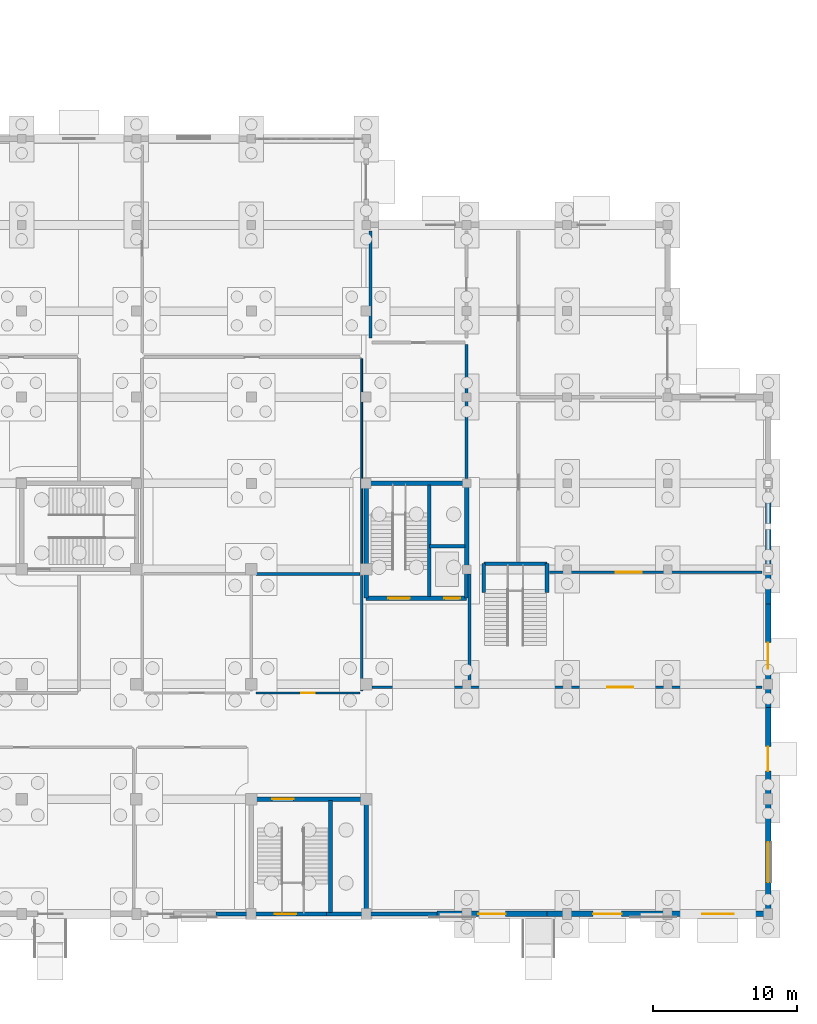
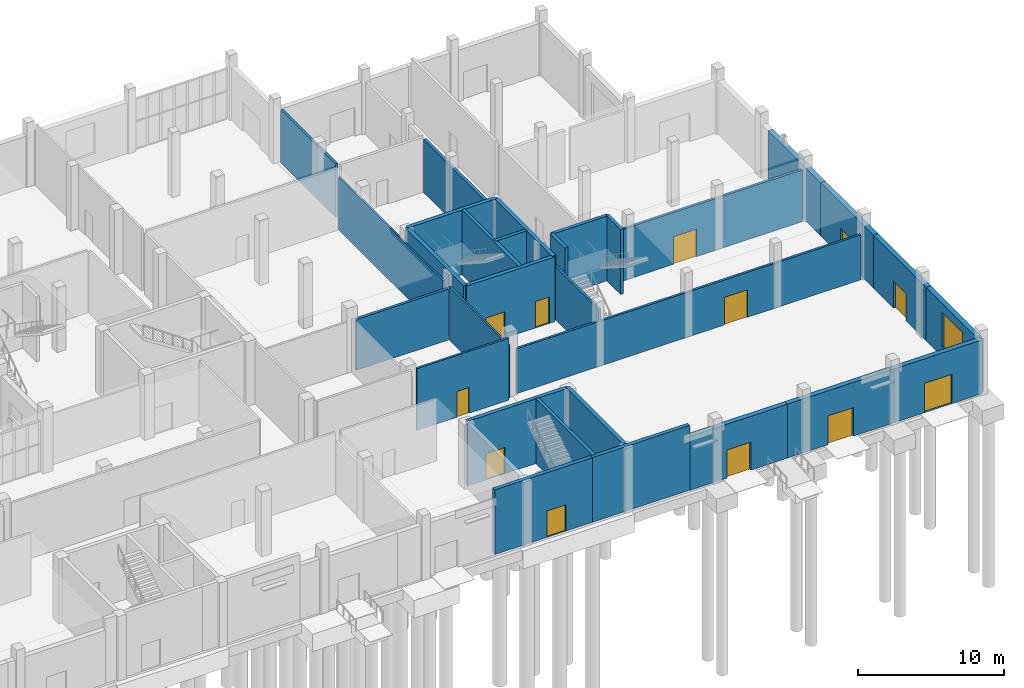
# One storey, part 50 of 69: 30 walls, 12 doors, 1 window, 13 openings.
"""IFC4 building model written with IfcOpenShell, lengths in metres."""

from ifc_helpers import new_model, si_unit, direction, frame, frame_2d, origin, place, context, subcontext, project, spatial, rectangle, extrude, material, layer, layer_set, type_object, element, fill, save


model = new_model("IFC4")

# Units and contexts
model_context = context("Model", 3, precision=1e-05, world=origin(), true_north=direction((0.0, 1.0)))
body_context = subcontext(model_context, "Body", "Model", "MODEL_VIEW")
ifc_project = project(units=[si_unit("LENGTHUNIT", "METRE"), si_unit("AREAUNIT", "SQUARE_METRE"), si_unit("VOLUMEUNIT", "CUBIC_METRE"), si_unit("PLANEANGLEUNIT", "RADIAN"), si_unit("MASSUNIT", "GRAM", prefix="KILO")], contexts=[model_context])

# Site, building, storey
site_placement = place(None, origin())
site = spatial("IfcSite", under=ifc_project, at=site_placement, CompositionType="ELEMENT")
building_placement = place(site_placement, origin())
building = spatial("IfcBuilding", under=site, at=building_placement, Name="Solvane Community Centre", CompositionType="ELEMENT")
storey_placement = place(building_placement, origin())
storey = spatial("IfcBuildingStorey", under=building, at=storey_placement, Name="L00", CompositionType="ELEMENT", Elevation=0.0)

# Wall
ifc_material_1 = material(Name="Gypsum board partition")
ifc_layer_1 = layer(ifc_material_1, 0.1298828125)
ifc_layer_set_1 = layer_set([ifc_layer_1], Name="Gypsum board partition")
wall_type_1 = type_object("IfcWallType", Name="Acoustic Partition 130mm [143x44dm]", PredefinedType="PARTITIONING", material=ifc_layer_set_1)
wall_1_placement = place(storey_placement, frame((139.699951171875, 30.419921875, 0.0), z_axis=(0.0, 0.0, 1.0), x_axis=(0.0, 1.0, 0.0)))
element("IfcWall", 1, at=wall_1_placement, inside=storey, type_object=wall_type_1, Name="Interior Wall WL-INT-L00-0206", PredefinedType="PARTITIONING", context=body_context, shape_type="SweptSolid", body=[
    extrude(rectangle(XDim=14.260009765625, YDim=0.1298828125, at=frame_2d((7.1298828125, 0.0))), origin(), (0.0, 0.0, 1.0), 4.425048828125),
])

# Wall, opening, door
ifc_layer_2 = layer(ifc_material_1, 0.18994140625)
ifc_layer_set_2 = layer_set([ifc_layer_2], Name="Gypsum board partition")
wall_type_2 = type_object("IfcWallType", Name="Acoustic Partition 190mm [148x43dm]", PredefinedType="PARTITIONING", material=ifc_layer_set_2)
wall_2_placement = place(storey_placement, frame((167.580078125, 29.800048828125, 0.0), z_axis=(0.0, 0.0, 1.0), x_axis=(-1.0, 0.0, 0.0)))
wall_2 = element("IfcWall", 2, at=wall_2_placement, inside=storey, type_object=wall_type_2, Name="Interior Wall WL-INT-L00-0209", PredefinedType="PARTITIONING", context=body_context, shape_type="SweptSolid", body=[
    extrude(rectangle(XDim=14.820068359375, YDim=0.18994140625, at=frame_2d((7.41015625, 0.0))), origin(), (0.0, 0.0, 1.0), 4.31494140625),
])
opening_1_placement = place(wall_2_placement, frame((8.373046875, 0.0, 0.0)))
opening_1 = element("IfcOpeningElement", 3, at=opening_1_placement, cuts=wall_2, Name="Opening ID02", PredefinedType="OPENING", context=body_context, shape_type="SweptSolid", body=[
    extrude(rectangle(XDim=1.800048828125, YDim=2.300048828125, at=frame_2d((0.89990234375, 1.14990234375))), frame((0.0, 0.10498046875, 0.0), z_axis=(0.0, -1.0, 0.0), x_axis=(1.0, 0.0, 0.0)), (0.0, 0.0, 1.0), 0.2099609375),
])
ifc_material_2 = material(Name="Anodised bronze aluminium AW-6063 T6", Category="aluminium")
door_type_1 = type_object("IfcDoorType", Name="Hall Acoustic Double Door 1800x2300", OperationType="NOTDEFINED", PredefinedType="DOOR", material=ifc_material_2)
door_1_placement = place(opening_1_placement, origin())
door_1 = element("IfcDoor", 4, at=door_1_placement, inside=storey, type_object=door_type_1, Name="L00-D072", OperationType="DOUBLE_DOOR_SINGLE_SWING", OverallHeight=2.300048828125, OverallWidth=1.800048828125, PredefinedType="DOOR", context=body_context, shape_type="SweptSolid", body=[
    extrude(rectangle(XDim=1.800048828125, YDim=2.300048828125, at=frame_2d((0.89990234375, 1.14990234375))), frame((0.0, 0.02490234375, 0.0), z_axis=(0.0, -1.0, 0.0), x_axis=(1.0, 0.0, 0.0)), (0.0, 0.0, 1.0), 0.050048828125),
])
fill(opening_1, door_1)

# Walls
ifc_layer_3 = layer(ifc_material_1, 0.2099609375)
ifc_layer_set_3 = layer_set([ifc_layer_3], Name="Gypsum board partition")
wall_type_3 = type_object("IfcWallType", Name="Acoustic Partition 210mm [73x42dm]", PredefinedType="PARTITIONING", material=ifc_layer_set_3)
wall_3_placement = place(storey_placement, frame((139.580078125, 29.699951171875, 0.0), z_axis=(0.0, 0.0, 1.0), x_axis=(-1.0, 0.0, 0.0)))
element("IfcWall", 5, at=wall_3_placement, inside=storey, type_object=wall_type_3, Name="Interior Wall WL-INT-L00-0200", PredefinedType="PARTITIONING", context=body_context, shape_type="SweptSolid", body=[
    extrude(rectangle(XDim=7.260009765625, YDim=0.2099609375, at=frame_2d((3.6298828125, 0.0))), origin(), (0.0, 0.0, 1.0), 4.2451171875),
])
ifc_layer_4 = layer(ifc_material_1, 0.2099609375)
ifc_layer_set_4 = layer_set([ifc_layer_4], Name="Gypsum board partition")
wall_type_4 = type_object("IfcWallType", Name="Acoustic Partition 210mm [75x44dm]", PredefinedType="PARTITIONING", material=ifc_layer_set_4)
wall_4_placement = place(storey_placement, frame((140.300048828125, 53.580078125, 0.0), z_axis=(0.0, 0.0, 1.0), x_axis=(0.0, -1.0, 0.0)))
element("IfcWall", 6, at=wall_4_placement, inside=storey, type_object=wall_type_4, Name="Interior Wall WL-INT-L00-0215", PredefinedType="PARTITIONING", context=body_context, shape_type="SweptSolid", body=[
    extrude(rectangle(XDim=7.4599609375, YDim=0.2099609375, at=frame_2d((3.72998046875, 0.0))), origin(), (0.0, 0.0, 1.0), 4.425048828125),
])

# Wall, opening, door
ifc_material_3 = material(Name="Terracotta clay masonry", Category="masonry")
ifc_layer_5 = layer(ifc_material_3, 0.3798828125)
ifc_layer_set_5 = layer_set([ifc_layer_5], Name="Terracotta clay masonry")
wall_type_5 = type_object("IfcWallType", Name="Art Deco Terracotta Plinth Wall 380mm [70x45dm]", PredefinedType="SOLIDWALL", material=ifc_layer_set_5)
wall_5_placement = place(storey_placement, frame((168.0, 6.0, 0.0), z_axis=(0.0, 0.0, 1.0), x_axis=(-1.0, 0.0, 0.0)))
wall_5 = element("IfcWall", 7, at=wall_5_placement, inside=storey, type_object=wall_type_5, Name="Exterior Wall WL-EXT-L00-0001", PredefinedType="SOLIDWALL", context=body_context, shape_type="SweptSolid", body=[
    extrude(rectangle(XDim=7.0, YDim=0.3798828125, at=frame_2d((3.5, 0.0))), origin(), (0.0, 0.0, 1.0), 4.4951171875),
])
opening_2_placement = place(wall_5_placement, frame((2.39990234375, 0.0, 0.0)))
opening_2 = element("IfcOpeningElement", 8, at=opening_2_placement, cuts=wall_5, Name="Opening D05", PredefinedType="OPENING", context=body_context, shape_type="SweptSolid", body=[
    extrude(rectangle(XDim=2.199951171875, YDim=2.449951171875, at=frame_2d((1.10009765625, 1.22509765625))), frame((0.0, 0.199951171875, 0.0), z_axis=(0.0, -1.0, 0.0), x_axis=(1.0, 0.0, 0.0)), (0.0, 0.0, 1.0), 0.39990234375),
])
door_type_2 = type_object("IfcDoorType", Name="Boulevard Cafe Entrance Pair 2200x2450", OperationType="NOTDEFINED", PredefinedType="DOOR", material=ifc_material_2)
door_2_placement = place(opening_2_placement, origin())
door_2 = element("IfcDoor", 9, at=door_2_placement, inside=storey, type_object=door_type_2, Name="L00-ED01", OperationType="DOUBLE_DOOR_SINGLE_SWING", OverallHeight=2.449951171875, OverallWidth=2.199951171875, PredefinedType="DOOR", context=body_context, shape_type="SweptSolid", body=[
    extrude(rectangle(XDim=2.199951171875, YDim=2.449951171875, at=frame_2d((1.10009765625, 1.22509765625))), frame((0.0, 0.02490234375, 0.0), z_axis=(0.0, -1.0, 0.0), x_axis=(1.0, 0.0, 0.0)), (0.0, 0.0, 1.0), 0.050048828125),
])
fill(opening_2, door_2)

# Wall
ifc_layer_6 = layer(ifc_material_3, 0.3798828125)
ifc_layer_set_6 = layer_set([ifc_layer_6], Name="Terracotta clay masonry")
wall_type_6 = type_object("IfcWallType", Name="Art Deco Terracotta Plinth Wall 380mm [72x44dm]", PredefinedType="SOLIDWALL", material=ifc_layer_set_6)
wall_6_placement = place(storey_placement, frame((168.0, 34.800048828125, 0.0), z_axis=(0.0, 0.0, 1.0), x_axis=(0.0, -1.0, 0.0)))
element("IfcWall", 10, at=wall_6_placement, inside=storey, type_object=wall_type_6, Name="Exterior Wall WL-EXT-L00-0053", PredefinedType="SOLIDWALL", context=body_context, shape_type="SweptSolid", body=[
    extrude(rectangle(XDim=7.199951171875, YDim=0.3798828125, at=frame_2d((3.60009765625, 0.0))), origin(), (0.0, 0.0, 1.0), 4.425048828125),
])

# Wall, opening, door
wall_7_placement = place(storey_placement, frame((168.0, 27.60009765625, 0.0), z_axis=(0.0, 0.0, 1.0), x_axis=(0.0, -1.0, 0.0)))
wall_7 = element("IfcWall", 11, at=wall_7_placement, inside=storey, type_object=wall_type_6, Name="Exterior Wall WL-EXT-L00-0054", PredefinedType="SOLIDWALL", context=body_context, shape_type="SweptSolid", body=[
    extrude(rectangle(XDim=7.2001953125, YDim=0.3798828125, at=frame_2d((3.60009765625, 0.0))), origin(), (0.0, 0.0, 1.0), 4.445068359375),
])
opening_3_placement = place(wall_7_placement, frame((2.699951171875, 0.0, 0.0)))
opening_3 = element("IfcOpeningElement", 12, at=opening_3_placement, cuts=wall_7, Name="Opening D02", PredefinedType="OPENING", context=body_context, shape_type="SweptSolid", body=[
    extrude(rectangle(XDim=1.800048828125, YDim=2.300048828125, at=frame_2d((0.89990234375, 1.14990234375))), frame((0.0, 0.199951171875, 0.0), z_axis=(0.0, -1.0, 0.0), x_axis=(1.0, 0.0, 0.0)), (0.0, 0.0, 1.0), 0.39990234375),
])
door_type_3 = type_object("IfcDoorType", Name="Primary Civic Exit Pair 1800x2300", OperationType="NOTDEFINED", PredefinedType="DOOR", material=ifc_material_2)
door_3_placement = place(opening_3_placement, origin())
door_3 = element("IfcDoor", 13, at=door_3_placement, inside=storey, type_object=door_type_3, Name="L00-ED22", OperationType="DOUBLE_DOOR_SINGLE_SWING", OverallHeight=2.300048828125, OverallWidth=1.800048828125, PredefinedType="DOOR", context=body_context, shape_type="SweptSolid", body=[
    extrude(rectangle(XDim=1.800048828125, YDim=2.300048828125, at=frame_2d((0.89990234375, 1.14990234375))), frame((0.0, 0.02490234375, 0.0), z_axis=(0.0, -1.0, 0.0), x_axis=(1.0, 0.0, 0.0)), (0.0, 0.0, 1.0), 0.050048828125),
])
fill(opening_3, door_3)

wall_8_placement = place(storey_placement, frame((168.0, 20.39990234375, 0.0), z_axis=(0.0, 0.0, 1.0), x_axis=(0.0, -1.0, 0.0)))
wall_8 = element("IfcWall", 14, at=wall_8_placement, inside=storey, type_object=wall_type_6, Name="Exterior Wall WL-EXT-L00-0055", PredefinedType="SOLIDWALL", context=body_context, shape_type="SweptSolid", body=[
    extrude(rectangle(XDim=7.199951171875, YDim=0.3798828125, at=frame_2d((3.60009765625, 0.0))), origin(), (0.0, 0.0, 1.0), 4.445068359375),
])
opening_4_placement = place(wall_8_placement, frame((2.75, 0.0, 0.0)))
opening_4 = element("IfcOpeningElement", 15, at=opening_4_placement, cuts=wall_8, Name="Opening D07", PredefinedType="OPENING", context=body_context, shape_type="SweptSolid", body=[
    extrude(rectangle(XDim=1.699951171875, YDim=2.25, at=frame_2d((0.85009765625, 1.125))), frame((0.0, 0.199951171875, 0.0), z_axis=(0.0, -1.0, 0.0), x_axis=(1.0, 0.0, 0.0)), (0.0, 0.0, 1.0), 0.39990234375),
])
door_type_4 = type_object("IfcDoorType", Name="Nursery Garden Double Door 1700x2250", OperationType="NOTDEFINED", PredefinedType="DOOR", material=ifc_material_2)
door_4_placement = place(opening_4_placement, origin())
door_4 = element("IfcDoor", 16, at=door_4_placement, inside=storey, type_object=door_type_4, Name="L00-ED23", OperationType="DOUBLE_DOOR_SINGLE_SWING", OverallHeight=2.25, OverallWidth=1.699951171875, PredefinedType="DOOR", context=body_context, shape_type="SweptSolid", body=[
    extrude(rectangle(XDim=1.699951171875, YDim=2.25, at=frame_2d((0.85009765625, 1.125))), frame((0.0, 0.02490234375, 0.0), z_axis=(0.0, -1.0, 0.0), x_axis=(1.0, 0.0, 0.0)), (0.0, 0.0, 1.0), 0.050048828125),
])
fill(opening_4, door_4)

# Wall, opening, window
wall_9_placement = place(storey_placement, frame((168.0, 13.199951171875, 0.0), z_axis=(0.0, 0.0, 1.0), x_axis=(0.0, -1.0, 0.0)))
wall_9 = element("IfcWall", 17, at=wall_9_placement, inside=storey, type_object=wall_type_6, Name="Exterior Wall WL-EXT-L00-0056", PredefinedType="SOLIDWALL", context=body_context, shape_type="SweptSolid", body=[
    extrude(rectangle(XDim=7.199951171875, YDim=0.3798828125, at=frame_2d((3.60009765625, 0.0))), origin(), (0.0, 0.0, 1.0), 4.445068359375),
])
opening_5_placement = place(wall_9_placement, frame((2.199951171875, 0.0, 0.800048828125)))
opening_5 = element("IfcOpeningElement", 18, at=opening_5_placement, cuts=wall_9, Name="Opening WN10", PredefinedType="OPENING", context=body_context, shape_type="SweptSolid", body=[
    extrude(rectangle(XDim=2.800048828125, YDim=2.89990234375, at=frame_2d((1.39990234375, 1.449951171875))), frame((0.0, 0.199951171875, 0.0), z_axis=(0.0, -1.0, 0.0), x_axis=(1.0, 0.0, 0.0)), (0.0, 0.0, 1.0), 0.39990234375),
])
ifc_material_4 = material(Name="Tempered low-E double glazing", Category="glass")
window_type = type_object("IfcWindowType", Name="Boulevard Grand Shopfront Window 2800x2900", PartitioningType="TRIPLE_PANEL_VERTICAL", PredefinedType="WINDOW", material=ifc_material_4)
window_placement = place(opening_5_placement, origin())
window = element("IfcWindow", 19, at=window_placement, inside=storey, type_object=window_type, Name="L00-W021", OverallHeight=2.89990234375, OverallWidth=2.800048828125, PartitioningType="TRIPLE_PANEL_VERTICAL", PredefinedType="WINDOW", context=body_context, shape_type="SweptSolid", body=[
    extrude(rectangle(XDim=2.800048828125, YDim=2.89990234375, at=frame_2d((1.39990234375, 1.449951171875))), frame((0.0, 0.030029296875, 0.0), z_axis=(0.0, -1.0, 0.0), x_axis=(1.0, 0.0, 0.0)), (0.0, 0.0, 1.0), 0.06005859375),
])
fill(opening_5, window)

# Wall, opening, door
ifc_layer_7 = layer(ifc_material_3, 0.3798828125)
ifc_layer_set_7 = layer_set([ifc_layer_7], Name="Terracotta clay masonry")
wall_type_7 = type_object("IfcWallType", Name="Art Deco Terracotta Plinth Wall 380mm [77x45dm]", PredefinedType="SOLIDWALL", material=ifc_layer_set_7)
wall_10_placement = place(storey_placement, frame((152.615478515625, 6.0, 0.0), z_axis=(0.0, 0.0, 1.0), x_axis=(-1.0, 0.0, 0.0)))
wall_10 = element("IfcWall", 20, at=wall_10_placement, inside=storey, type_object=wall_type_7, Name="Exterior Wall WL-EXT-L00-0003", PredefinedType="SOLIDWALL", context=body_context, shape_type="SweptSolid", body=[
    extrude(rectangle(XDim=7.6923828125, YDim=0.3798828125, at=frame_2d((3.84619140625, 0.0))), origin(), (0.0, 0.0, 1.0), 4.4951171875),
])
opening_6_placement = place(wall_10_placement, frame((2.89599609375, 0.0, 0.0)))
opening_6 = element("IfcOpeningElement", 21, at=opening_6_placement, cuts=wall_10, Name="Opening D06", PredefinedType="OPENING", context=body_context, shape_type="SweptSolid", body=[
    extrude(rectangle(XDim=1.89990234375, YDim=2.35009765625, at=frame_2d((0.949951171875, 1.175048828125))), frame((0.0, 0.199951171875, 0.0), z_axis=(0.0, -1.0, 0.0), x_axis=(1.0, 0.0, 0.0)), (0.0, 0.0, 1.0), 0.39990234375),
])
door_type_5 = type_object("IfcDoorType", Name="Courtyard Cloister Double Door 1900x2350", OperationType="NOTDEFINED", PredefinedType="DOOR", material=ifc_material_2)
door_5_placement = place(opening_6_placement, origin())
door_5 = element("IfcDoor", 22, at=door_5_placement, inside=storey, type_object=door_type_5, Name="L00-ED03", OperationType="DOUBLE_DOOR_SINGLE_SWING", OverallHeight=2.35009765625, OverallWidth=1.89990234375, PredefinedType="DOOR", context=body_context, shape_type="SweptSolid", body=[
    extrude(rectangle(XDim=1.89990234375, YDim=2.35009765625, at=frame_2d((0.949951171875, 1.175048828125))), frame((0.0, 0.02490234375, 0.0), z_axis=(0.0, -1.0, 0.0), x_axis=(1.0, 0.0, 0.0)), (0.0, 0.0, 1.0), 0.050048828125),
])
fill(opening_6, door_5)

ifc_layer_8 = layer(ifc_material_3, 0.3798828125)
ifc_layer_set_8 = layer_set([ifc_layer_8], Name="Terracotta clay masonry")
wall_type_8 = type_object("IfcWallType", Name="Art Deco Terracotta Plinth Wall 380mm [84x45dm]", PredefinedType="SOLIDWALL", material=ifc_layer_set_8)
wall_11_placement = place(storey_placement, frame((161.0, 6.0, 0.0), z_axis=(0.0, 0.0, 1.0), x_axis=(-1.0, 0.0, 0.0)))
wall_11 = element("IfcWall", 23, at=wall_11_placement, inside=storey, type_object=wall_type_8, Name="Exterior Wall WL-EXT-L00-0002", PredefinedType="SOLIDWALL", context=body_context, shape_type="SweptSolid", body=[
    extrude(rectangle(XDim=8.384521484375, YDim=0.3798828125, at=frame_2d((4.1923828125, 0.0))), origin(), (0.0, 0.0, 1.0), 4.4951171875),
])
opening_7_placement = place(wall_11_placement, frame((3.19189453125, 0.0, 0.0)))
opening_7 = element("IfcOpeningElement", 24, at=opening_7_placement, cuts=wall_11, Name="Opening D01", PredefinedType="OPENING", context=body_context, shape_type="SweptSolid", body=[
    extrude(rectangle(XDim=2.0, YDim=2.39990234375, at=frame_2d((1.0, 1.199951171875))), frame((0.0, 0.199951171875, 0.0), z_axis=(0.0, -1.0, 0.0), x_axis=(1.0, 0.0, 0.0)), (0.0, 0.0, 1.0), 0.39990234375),
])
door_type_6 = type_object("IfcDoorType", Name="Grand Boulevard Exit Pair 2000x2400", OperationType="NOTDEFINED", PredefinedType="DOOR", material=ifc_material_2)
door_6_placement = place(opening_7_placement, origin())
door_6 = element("IfcDoor", 25, at=door_6_placement, inside=storey, type_object=door_type_6, Name="L00-ED02", OperationType="DOUBLE_DOOR_SINGLE_SWING", OverallHeight=2.39990234375, OverallWidth=2.0, PredefinedType="DOOR", context=body_context, shape_type="SweptSolid", body=[
    extrude(rectangle(XDim=2.0, YDim=2.39990234375, at=frame_2d((1.0, 1.199951171875))), frame((0.0, 0.02490234375, 0.0), z_axis=(0.0, -1.0, 0.0), x_axis=(1.0, 0.0, 0.0)), (0.0, 0.0, 1.0), 0.050048828125),
])
fill(opening_7, door_6)

# Wall
ifc_layer_9 = layer(ifc_material_3, 0.219970703125)
ifc_layer_set_9 = layer_set([ifc_layer_9], Name="Terracotta clay masonry")
wall_type_9 = type_object("IfcWallType", Name="Masonry Compartment Wall 220mm [94x44dm]", PredefinedType="SOLIDWALL", material=ifc_layer_set_9)
wall_12_placement = place(storey_placement, frame((147.0, 36.320068359375, 0.0), z_axis=(0.0, 0.0, 1.0), x_axis=(0.0, 1.0, 0.0)))
element("IfcWall", 26, at=wall_12_placement, inside=storey, type_object=wall_type_9, Name="Interior Wall WL-INT-L00-0213", PredefinedType="SOLIDWALL", context=body_context, shape_type="SweptSolid", body=[
    extrude(rectangle(XDim=9.35986328125, YDim=0.219970703125, at=frame_2d((4.679931640625, 0.0))), origin(), (0.0, 0.0, 1.0), 4.425048828125),
])

# Wall, opening, door
ifc_layer_10 = layer(ifc_material_1, 0.179931640625)
ifc_layer_set_10 = layer_set([ifc_layer_10], Name="Gypsum board partition")
wall_type_10 = type_object("IfcWallType", Name="Protected Corridor Wall 180mm [272x37dm]", PredefinedType="PARTITIONING", material=ifc_layer_set_10)
wall_13_placement = place(storey_placement, frame((167.580078125, 21.800048828125, 0.0), z_axis=(0.0, 0.0, 1.0), x_axis=(-1.0, 0.0, 0.0)))
wall_13 = element("IfcWall", 27, at=wall_13_placement, inside=storey, type_object=wall_type_10, Name="Interior Wall WL-INT-L00-0208", PredefinedType="PARTITIONING", context=body_context, shape_type="SweptSolid", body=[
    extrude(rectangle(XDim=27.16015625, YDim=0.179931640625, at=frame_2d((13.580078125, 0.0))), origin(), (0.0, 0.0, 1.0), 3.7451171875),
])
opening_8_placement = place(wall_13_placement, frame((8.966064453125, 0.0, 0.0)))
opening_8 = element("IfcOpeningElement", 28, at=opening_8_placement, cuts=wall_13, Name="Opening ID02", PredefinedType="OPENING", context=body_context, shape_type="SweptSolid", body=[
    extrude(rectangle(XDim=1.800048828125, YDim=2.300048828125, at=frame_2d((0.89990234375, 1.14990234375))), frame((0.0, 0.099853515625, 0.0), z_axis=(0.0, -1.0, 0.0), x_axis=(1.0, 0.0, 0.0)), (0.0, 0.0, 1.0), 0.199951171875),
])
door_7_placement = place(opening_8_placement, origin())
door_7 = element("IfcDoor", 29, at=door_7_placement, inside=storey, type_object=door_type_1, Name="L00-D071", OperationType="DOUBLE_DOOR_SINGLE_SWING", OverallHeight=2.300048828125, OverallWidth=1.800048828125, PredefinedType="DOOR", context=body_context, shape_type="SweptSolid", body=[
    extrude(rectangle(XDim=1.800048828125, YDim=2.300048828125, at=frame_2d((0.89990234375, 1.14990234375))), frame((0.0, 0.02490234375, 0.0), z_axis=(0.0, -1.0, 0.0), x_axis=(1.0, 0.0, 0.0)), (0.0, 0.0, 1.0), 0.050048828125),
])
fill(opening_8, door_7)

# Wall
ifc_layer_11 = layer(ifc_material_1, 0.179931640625)
ifc_layer_set_11 = layer_set([ifc_layer_11], Name="Gypsum board partition")
wall_type_11 = type_object("IfcWallType", Name="Protected Corridor Wall 180mm [76x44dm]", PredefinedType="PARTITIONING", material=ifc_layer_set_11)
wall_14_placement = place(storey_placement, frame((147.199951171875, 29.679931640625, 0.0), z_axis=(0.0, 0.0, 1.0), x_axis=(0.0, -1.0, 0.0)))
element("IfcWall", 30, at=wall_14_placement, inside=storey, type_object=wall_type_11, Name="Interior Wall WL-INT-L00-0210", PredefinedType="PARTITIONING", context=body_context, shape_type="SweptSolid", body=[
    extrude(rectangle(XDim=7.559814453125, YDim=0.179931640625, at=frame_2d((3.77978515625, 0.0))), origin(), (0.0, 0.0, 1.0), 4.445068359375),
])

# Wall, openings, doors
ifc_material_5 = material(Name="Concrete C35/45", Category="concrete")
ifc_layer_12 = layer(ifc_material_5, 0.300048828125)
ifc_layer_set_12 = layer_set([ifc_layer_12], Name="Concrete C35/45")
wall_type_12 = type_object("IfcWallType", Name="RC Core Shear Wall 300mm [70x54dm]", PredefinedType="SHEAR", material=ifc_layer_set_12)
wall_15_placement = place(storey_placement, frame((147.0, 28.0, 0.0), z_axis=(0.0, 0.0, 1.0), x_axis=(-1.0, 0.0, 0.0)))
wall_15 = element("IfcWall", 31, at=wall_15_placement, inside=storey, type_object=wall_type_12, Name="Interior Wall WL-INT-L00-0105", PredefinedType="SHEAR", context=body_context, shape_type="SweptSolid", body=[
    extrude(rectangle(XDim=7.0, YDim=0.300048828125, at=frame_2d((3.5, 0.0))), origin(), (0.0, 0.0, 1.0), 5.39990234375),
])
opening_9_placement = place(wall_15_placement, frame((3.949951171875, 0.0, 0.0)))
opening_9 = element("IfcOpeningElement", 32, at=opening_9_placement, cuts=wall_15, Name="Opening SD01", PredefinedType="OPENING", context=body_context, shape_type="SweptSolid", body=[
    extrude(rectangle(XDim=1.5, YDim=2.199951171875, at=frame_2d((0.75, 1.10009765625))), frame((0.0, 0.159912109375, 0.0), z_axis=(0.0, -1.0, 0.0), x_axis=(1.0, 0.0, 0.0)), (0.0, 0.0, 1.0), 0.320068359375),
])
opening_10_placement = place(wall_15_placement, frame((0.449951171875, 0.0, 0.0)))
opening_10 = element("IfcOpeningElement", 33, at=opening_10_placement, cuts=wall_15, Name="Opening LD01", PredefinedType="OPENING", context=body_context, shape_type="SweptSolid", body=[
    extrude(rectangle(XDim=1.10009765625, YDim=2.199951171875, at=frame_2d((0.550048828125, 1.10009765625))), frame((0.0, 0.159912109375, 0.0), z_axis=(0.0, -1.0, 0.0), x_axis=(1.0, 0.0, 0.0)), (0.0, 0.0, 1.0), 0.320068359375),
])
door_type_7 = type_object("IfcDoorType", Name="Lift Sliding Landing Door 1100x2200", OperationType="NOTDEFINED", PredefinedType="DOOR", material=ifc_material_2)
door_8_placement = place(opening_10_placement, origin())
door_8 = element("IfcDoor", 34, at=door_8_placement, inside=storey, type_object=door_type_7, Name="L00-D040", OperationType="SLIDING_TO_LEFT", OverallHeight=2.199951171875, OverallWidth=1.10009765625, PredefinedType="DOOR", context=body_context, shape_type="SweptSolid", body=[
    extrude(rectangle(XDim=1.10009765625, YDim=2.199951171875, at=frame_2d((0.550048828125, 1.10009765625))), frame((0.0, 0.02490234375, 0.0), z_axis=(0.0, -1.0, 0.0), x_axis=(1.0, 0.0, 0.0)), (0.0, 0.0, 1.0), 0.050048828125),
])
fill(opening_10, door_8)
door_type_8 = type_object("IfcDoorType", Name="Stair Discharge Fire Pair 1500x2200", OperationType="NOTDEFINED", PredefinedType="DOOR", material=ifc_material_2)
door_9_placement = place(opening_9_placement, origin())
door_9 = element("IfcDoor", 35, at=door_9_placement, inside=storey, type_object=door_type_8, Name="L00-D039", OperationType="DOUBLE_DOOR_SINGLE_SWING", OverallHeight=2.199951171875, OverallWidth=1.5, PredefinedType="DOOR", context=body_context, shape_type="SweptSolid", body=[
    extrude(rectangle(XDim=1.5, YDim=2.199951171875, at=frame_2d((0.75, 1.10009765625))), frame((0.0, 0.02490234375, 0.0), z_axis=(0.0, -1.0, 0.0), x_axis=(1.0, 0.0, 0.0)), (0.0, 0.0, 1.0), 0.050048828125),
])
fill(opening_9, door_9)

# Wall
wall_16_placement = place(storey_placement, frame((140.0, 36.0, 0.0), z_axis=(0.0, 0.0, 1.0), x_axis=(1.0, 0.0, 0.0)))
element("IfcWall", 36, at=wall_16_placement, inside=storey, type_object=wall_type_12, Name="Interior Wall WL-INT-L00-0107", PredefinedType="SHEAR", context=body_context, shape_type="SweptSolid", body=[
    extrude(rectangle(XDim=7.0, YDim=0.300048828125, at=frame_2d((3.5, 0.0))), origin(), (0.0, 0.0, 1.0), 5.39990234375),
])

# Wall, opening, door
ifc_layer_13 = layer(ifc_material_5, 0.300048828125)
ifc_layer_set_13 = layer_set([ifc_layer_13], Name="Concrete C35/45")
wall_type_13 = type_object("IfcWallType", Name="RC Core Shear Wall 300mm [80x54dm]", PredefinedType="SHEAR", material=ifc_layer_set_13)
wall_17_placement = place(storey_placement, frame((132.0, 14.0, 0.0), z_axis=(0.0, 0.0, 1.0), x_axis=(1.0, 0.0, 0.0)))
wall_17 = element("IfcWall", 37, at=wall_17_placement, inside=storey, type_object=wall_type_13, Name="Interior Wall WL-INT-L00-0055", PredefinedType="SHEAR", context=body_context, shape_type="SweptSolid", body=[
    extrude(rectangle(XDim=8.0, YDim=0.300048828125, at=frame_2d((4.0, 0.0))), origin(), (0.0, 0.0, 1.0), 5.39990234375),
])
opening_11_placement = place(wall_17_placement, frame((1.449951171875, 0.0, 0.0)))
opening_11 = element("IfcOpeningElement", 38, at=opening_11_placement, cuts=wall_17, Name="Opening SD01", PredefinedType="OPENING", context=body_context, shape_type="SweptSolid", body=[
    extrude(rectangle(XDim=1.5, YDim=2.199951171875, at=frame_2d((0.75, 1.10009765625))), frame((0.0, 0.159912109375, 0.0), z_axis=(0.0, -1.0, 0.0), x_axis=(1.0, 0.0, 0.0)), (0.0, 0.0, 1.0), 0.320068359375),
])
door_10_placement = place(opening_11_placement, origin())
door_10 = element("IfcDoor", 39, at=door_10_placement, inside=storey, type_object=door_type_8, Name="L00-D022", OperationType="DOUBLE_DOOR_SINGLE_SWING", OverallHeight=2.199951171875, OverallWidth=1.5, PredefinedType="DOOR", context=body_context, shape_type="SweptSolid", body=[
    extrude(rectangle(XDim=1.5, YDim=2.199951171875, at=frame_2d((0.75, 1.10009765625))), frame((0.0, 0.02490234375, 0.0), z_axis=(0.0, -1.0, 0.0), x_axis=(1.0, 0.0, 0.0)), (0.0, 0.0, 1.0), 0.050048828125),
])
fill(opening_11, door_10)

# Walls
for number, where, z_axis, x_axis, name in (
    (40, (140.0, 14.0, 0.0), (0.0, 0.0, 1.0), (0.0, -1.0, 0.0), "Interior Wall WL-INT-L00-0056"),
    (41, (140.0, 28.0, 0.0), (0.0, 0.0, 1.0), (0.0, 1.0, 0.0), "Interior Wall WL-INT-L00-0106"),
    (42, (147.0, 36.0, 0.0), (0.0, 0.0, 1.0), (0.0, -1.0, 0.0), "Interior Wall WL-INT-L00-0108"),
):
    element("IfcWall", number, at=place(storey_placement, frame(where, z_axis=z_axis, x_axis=x_axis)), inside=storey, type_object=wall_type_13, Name=name, PredefinedType="SHEAR", context=body_context, shape_type="SweptSolid", body=[
        extrude(rectangle(XDim=8.0, YDim=0.300048828125, at=frame_2d((4.0, 0.0))), origin(), (0.0, 0.0, 1.0), 5.39990234375),
    ])
ifc_layer_14 = layer(ifc_material_5, 0.300048828125)
ifc_layer_set_14 = layer_set([ifc_layer_14], Name="Concrete C35/45")
wall_type_14 = type_object("IfcWallType", Name="RC Exterior Core Strip Wall 300mm [77x45dm]", PredefinedType="SOLIDWALL", material=ifc_layer_set_14)
wall_18_placement = place(storey_placement, frame((144.923095703125, 6.0, 0.0), z_axis=(0.0, 0.0, 1.0), x_axis=(-1.0, 0.0, 0.0)))
element("IfcWall", 43, at=wall_18_placement, inside=storey, type_object=wall_type_14, Name="Exterior Wall WL-EXT-L00-0004", PredefinedType="SOLIDWALL", context=body_context, shape_type="SweptSolid", body=[
    extrude(rectangle(XDim=7.6923828125, YDim=0.300048828125, at=frame_2d((3.84619140625, 0.0))), origin(), (0.0, 0.0, 1.0), 5.39990234375),
])

# Wall, opening, door
wall_19_placement = place(storey_placement, frame((137.230712890625, 6.0, 0.0), z_axis=(0.0, 0.0, 1.0), x_axis=(-1.0, 0.0, 0.0)))
wall_19 = element("IfcWall", 44, at=wall_19_placement, inside=storey, type_object=wall_type_14, Name="Exterior Wall WL-EXT-L00-0005", PredefinedType="SOLIDWALL", context=body_context, shape_type="SweptSolid", body=[
    extrude(rectangle(XDim=7.692138671875, YDim=0.300048828125, at=frame_2d((3.84619140625, 0.0))), origin(), (0.0, 0.0, 1.0), 5.39990234375),
])
opening_12_placement = place(wall_19_placement, frame((2.0810546875, 0.0, 0.0)))
opening_12 = element("IfcOpeningElement", 45, at=opening_12_placement, cuts=wall_19, Name="Opening SD01", PredefinedType="OPENING", context=body_context, shape_type="SweptSolid", body=[
    extrude(rectangle(XDim=1.5, YDim=2.199951171875, at=frame_2d((0.75, 1.10009765625))), frame((0.0, 0.159912109375, 0.0), z_axis=(0.0, -1.0, 0.0), x_axis=(1.0, 0.0, 0.0)), (0.0, 0.0, 1.0), 0.320068359375),
])
door_11_placement = place(opening_12_placement, origin())
door_11 = element("IfcDoor", 46, at=door_11_placement, inside=storey, type_object=door_type_8, Name="L00-D023", OperationType="DOUBLE_DOOR_SINGLE_SWING", OverallHeight=2.199951171875, OverallWidth=1.5, PredefinedType="DOOR", context=body_context, shape_type="SweptSolid", body=[
    extrude(rectangle(XDim=1.5, YDim=2.199951171875, at=frame_2d((0.75, 1.10009765625))), frame((0.0, 0.02490234375, 0.0), z_axis=(0.0, -1.0, 0.0), x_axis=(1.0, 0.0, 0.0)), (0.0, 0.0, 1.0), 0.050048828125),
])
fill(opening_12, door_11)

# Walls
ifc_layer_15 = layer(ifc_material_5, 0.25)
ifc_layer_set_15 = layer_set([ifc_layer_15], Name="Concrete C35/45")
wall_type_15 = type_object("IfcWallType", Name="RC Lift Shaft Wall 250mm [20x54dm]", PredefinedType="SHEAR", material=ifc_layer_set_15)
for number, where, z_axis, x_axis, name in (
    (47, (148.199951171875, 28.39990234375, 0.0), (0.0, 0.0, 1.0), (0.0, 1.0, 0.0), "Interior Wall WL-INT-L00-0143"),
    (48, (152.60009765625, 30.39990234375, 0.0), (0.0, 0.0, 1.0), (0.0, -1.0, 0.0), "Interior Wall WL-INT-L00-0145"),
):
    element("IfcWall", number, at=place(storey_placement, frame(where, z_axis=z_axis, x_axis=x_axis)), inside=storey, type_object=wall_type_15, Name=name, PredefinedType="SHEAR", context=body_context, shape_type="SweptSolid", body=[
        extrude(rectangle(XDim=2.0, YDim=0.25, at=frame_2d((1.0, 0.0))), origin(), (0.0, 0.0, 1.0), 5.39990234375),
    ])
ifc_layer_16 = layer(ifc_material_5, 0.25)
ifc_layer_set_16 = layer_set([ifc_layer_16], Name="Concrete C35/45")
wall_type_16 = type_object("IfcWallType", Name="RC Lift Shaft Wall 250mm [25x54dm]", PredefinedType="SHEAR", material=ifc_layer_set_16)
wall_20_placement = place(storey_placement, frame((144.39990234375, 31.6201171875, 0.0), z_axis=(0.0, 0.0, 1.0), x_axis=(1.0, 0.0, 0.0)))
element("IfcWall", 49, at=wall_20_placement, inside=storey, type_object=wall_type_16, Name="Interior Wall WL-INT-L00-0110", PredefinedType="SHEAR", context=body_context, shape_type="SweptSolid", body=[
    extrude(rectangle(XDim=2.5, YDim=0.25, at=frame_2d((1.25, 0.0))), origin(), (0.0, 0.0, 1.0), 5.39990234375),
])
ifc_layer_17 = layer(ifc_material_5, 0.25)
ifc_layer_set_17 = layer_set([ifc_layer_17], Name="Concrete C35/45")
wall_type_17 = type_object("IfcWallType", Name="RC Lift Shaft Wall 250mm [44x54dm]", PredefinedType="SHEAR", material=ifc_layer_set_17)
wall_21_placement = place(storey_placement, frame((148.199951171875, 30.39990234375, 0.0), z_axis=(0.0, 0.0, 1.0), x_axis=(1.0, 0.0, 0.0)))
element("IfcWall", 50, at=wall_21_placement, inside=storey, type_object=wall_type_17, Name="Interior Wall WL-INT-L00-0144", PredefinedType="SHEAR", context=body_context, shape_type="SweptSolid", body=[
    extrude(rectangle(XDim=4.400146484375, YDim=0.25, at=frame_2d((2.2001953125, 0.0))), origin(), (0.0, 0.0, 1.0), 5.39990234375),
])
ifc_layer_18 = layer(ifc_material_5, 0.25)
ifc_layer_set_18 = layer_set([ifc_layer_18], Name="Concrete C35/45")
wall_type_18 = type_object("IfcWallType", Name="RC Lift Shaft Wall 250mm [78x54dm]", PredefinedType="SHEAR", material=ifc_layer_set_18)
for number, where, z_axis, x_axis, name in (
    (51, (137.52001953125, 6.10009765625, 0.0), (0.0, 0.0, 1.0), (0.0, 1.0, 0.0), "Interior Wall WL-INT-L00-0057"),
    (52, (144.39990234375, 28.10009765625, 0.0), (0.0, 0.0, 1.0), (0.0, 1.0, 0.0), "Interior Wall WL-INT-L00-0109"),
):
    element("IfcWall", number, at=place(storey_placement, frame(where, z_axis=z_axis, x_axis=x_axis)), inside=storey, type_object=wall_type_18, Name=name, PredefinedType="SHEAR", context=body_context, shape_type="SweptSolid", body=[
        extrude(rectangle(XDim=7.7998046875, YDim=0.25, at=frame_2d((3.89990234375, 0.0))), origin(), (0.0, 0.0, 1.0), 5.39990234375),
    ])

# Wall, opening, door
ifc_layer_19 = layer(ifc_material_1, 0.159912109375)
ifc_layer_set_19 = layer_set([ifc_layer_19], Name="Gypsum board partition")
wall_type_19 = type_object("IfcWallType", Name="Sanitary Plumbing Chase Wall 160mm [73x52dm]", PredefinedType="PLUMBINGWALL", material=ifc_layer_set_19)
wall_22_placement = place(storey_placement, frame((132.320068359375, 21.39990234375, 0.0), z_axis=(0.0, 0.0, 1.0), x_axis=(1.0, 0.0, 0.0)))
wall_22 = element("IfcWall", 53, at=wall_22_placement, inside=storey, type_object=wall_type_19, Name="Interior Wall WL-INT-L00-0198", PredefinedType="PLUMBINGWALL", context=body_context, shape_type="SweptSolid", body=[
    extrude(rectangle(XDim=7.260009765625, YDim=0.159912109375, at=frame_2d((3.6298828125, 0.0))), origin(), (0.0, 0.0, 1.0), 5.159912109375),
])
opening_13_placement = place(wall_22_placement, frame((3.155029296875, 0.0, 0.0)))
opening_13 = element("IfcOpeningElement", 54, at=opening_13_placement, cuts=wall_22, Name="Opening ID03", PredefinedType="OPENING", context=body_context, shape_type="SweptSolid", body=[
    extrude(rectangle(XDim=0.949951171875, YDim=2.14990234375, at=frame_2d((0.47509765625, 1.074951171875))), frame((0.0, 0.08984375, 0.0), z_axis=(0.0, -1.0, 0.0), x_axis=(1.0, 0.0, 0.0)), (0.0, 0.0, 1.0), 0.179931640625),
])
door_type_9 = type_object("IfcDoorType", Name="Accessible Sanitary Door 950x2150", OperationType="NOTDEFINED", PredefinedType="DOOR", material=ifc_material_2)
door_12_placement = place(opening_13_placement, origin())
door_12 = element("IfcDoor", 55, at=door_12_placement, inside=storey, type_object=door_type_9, Name="L00-D067", OperationType="SINGLE_SWING_LEFT", OverallHeight=2.14990234375, OverallWidth=0.949951171875, PredefinedType="DOOR", context=body_context, shape_type="SweptSolid", body=[
    extrude(rectangle(XDim=0.949951171875, YDim=2.14990234375, at=frame_2d((0.47509765625, 1.074951171875))), frame((0.0, 0.02490234375, 0.0), z_axis=(0.0, -1.0, 0.0), x_axis=(1.0, 0.0, 0.0)), (0.0, 0.0, 1.0), 0.050048828125),
])
fill(opening_13, door_12)

# Wall
ifc_layer_20 = layer(ifc_material_1, 0.159912109375)
ifc_layer_set_20 = layer_set([ifc_layer_20], Name="Gypsum board partition")
wall_type_20 = type_object("IfcWallType", Name="Sanitary Plumbing Chase Wall 160mm [81x44dm]", PredefinedType="PLUMBINGWALL", material=ifc_layer_set_20)
wall_23_placement = place(storey_placement, frame((139.699951171875, 21.52001953125, 0.0), z_axis=(0.0, 0.0, 1.0), x_axis=(0.0, 1.0, 0.0)))
element("IfcWall", 56, at=wall_23_placement, inside=storey, type_object=wall_type_20, Name="Interior Wall WL-INT-L00-0199", PredefinedType="PLUMBINGWALL", context=body_context, shape_type="SweptSolid", body=[
    extrude(rectangle(XDim=8.06005859375, YDim=0.159912109375, at=frame_2d((4.030029296875, 0.0))), origin(), (0.0, 0.0, 1.0), 4.445068359375),
])

save(model, "model.ifc")
